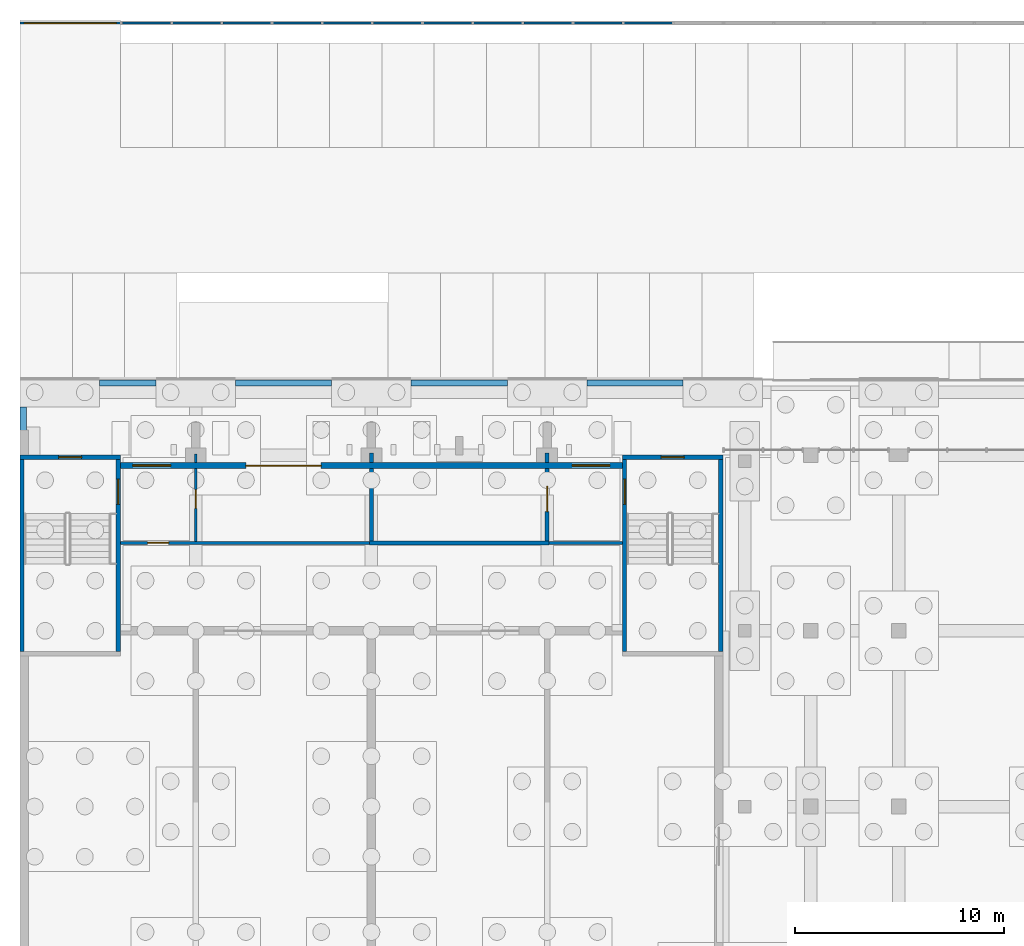
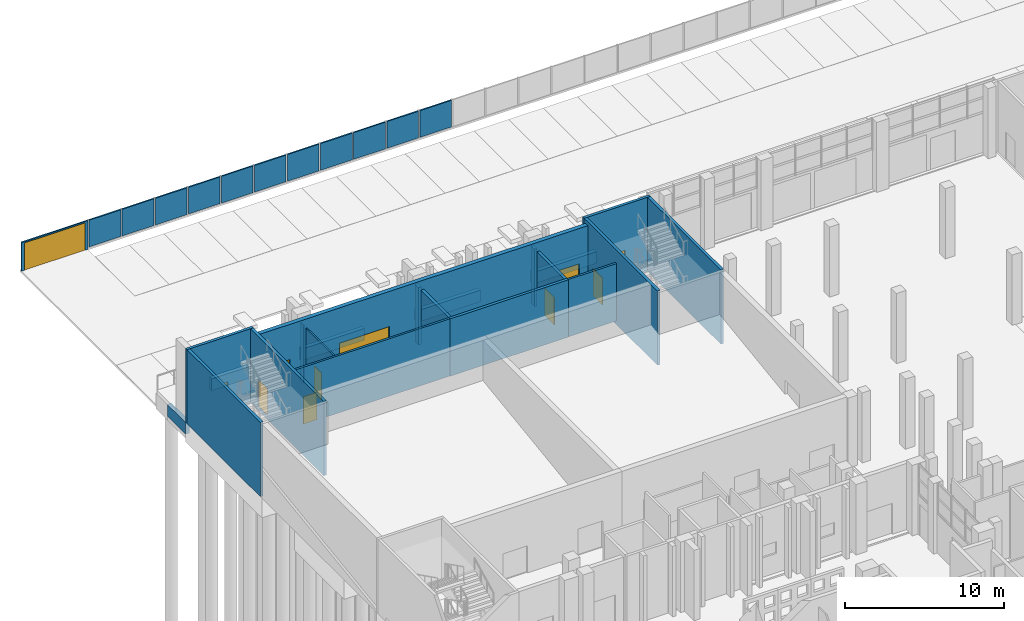
# One storey, part 50 of 129: 33 walls, 9 doors, 2 windows, 11 openings.
"""IFC4 building model written with IfcOpenShell, lengths in metres."""

from ifc_helpers import new_model, si_unit, direction, frame, frame_2d, origin, place, context, subcontext, project, spatial, rectangle, extrude, material, layer, layer_set, type_object, element, fill, save


model = new_model("IFC4")

# Units and contexts
model_context = context("Model", 3, precision=1e-05, world=origin(), true_north=direction((0.0, 1.0)))
body_context = subcontext(model_context, "Body", "Model", "MODEL_VIEW")
ifc_project = project(units=[si_unit("LENGTHUNIT", "METRE"), si_unit("AREAUNIT", "SQUARE_METRE"), si_unit("VOLUMEUNIT", "CUBIC_METRE"), si_unit("PLANEANGLEUNIT", "RADIAN"), si_unit("MASSUNIT", "GRAM", prefix="KILO")], contexts=[model_context])

# Site, building, storey
site_placement = place(None, origin())
site = spatial("IfcSite", under=ifc_project, at=site_placement, CompositionType="ELEMENT")
building_placement = place(site_placement, origin())
building = spatial("IfcBuilding", under=site, at=building_placement, Name="Kiln Court Media Centre", CompositionType="ELEMENT")
storey_placement = place(building_placement, origin())
storey = spatial("IfcBuildingStorey", under=building, at=storey_placement, Name="L00", CompositionType="ELEMENT", Elevation=0.0)

# Walls
ifc_material_1 = material(Name="Concrete block masonry M10", Category="masonry")
ifc_layer_1 = layer(ifc_material_1, 0.199951171875)
ifc_layer_set_1 = layer_set([ifc_layer_1], Name="Block plant room wall 200 EI 120")
wall_type_1 = type_object("IfcWallType", Name="Block plant room wall 200 EI 120", PredefinedType="SOLIDWALL", material=ifc_layer_set_1)
wall_1_placement = place(storey_placement, frame((16.699951171875, 63.0, 0.0), z_axis=(0.0, 0.0, 1.0), x_axis=(1.0, 0.0, 0.0)))
element("IfcWall", 1, at=wall_1_placement, inside=storey, type_object=wall_type_1, Name="L00 block plant room wall", PredefinedType="SOLIDWALL", context=body_context, shape_type="SweptSolid", body=[
    extrude(rectangle(XDim=8.60009765625, YDim=0.199951171875, at=frame_2d((4.300048828125, 0.0))), origin(), (0.0, 0.0, 1.0), 4.39990234375),
])
wall_2_placement = place(storey_placement, frame((16.800048828125, 63.10009765625, 0.0), z_axis=(0.0, 0.0, 1.0), x_axis=(0.0, 1.0, 0.0)))
element("IfcWall", 2, at=wall_2_placement, inside=storey, type_object=wall_type_1, Name="L00 block plant room wall", PredefinedType="SOLIDWALL", context=body_context, shape_type="SweptSolid", body=[
    extrude(rectangle(XDim=3.449951171875, YDim=0.199951171875, at=frame_2d((1.72509765625, 0.0))), origin(), (0.0, 0.0, 1.0), 4.39990234375),
])
wall_3_placement = place(storey_placement, frame((16.800048828125, 66.85009765625, 0.0), z_axis=(0.0, 0.0, 1.0), x_axis=(0.0, 1.0, 0.0)))
element("IfcWall", 3, at=wall_3_placement, inside=storey, type_object=wall_type_1, Name="L00 block plant room wall", PredefinedType="SOLIDWALL", context=body_context, shape_type="SweptSolid", body=[
    extrude(rectangle(XDim=0.449951171875, YDim=0.199951171875, at=frame_2d((0.22509765625, 0.0))), origin(), (0.0, 0.0, 1.0), 4.39990234375),
])

# Wall, opening, door
wall_4_placement = place(storey_placement, frame((25.199951171875, 63.10009765625, 0.0), z_axis=(0.0, 0.0, 1.0), x_axis=(0.0, 1.0, 0.0)))
wall_4 = element("IfcWall", 4, at=wall_4_placement, inside=storey, type_object=wall_type_1, Name="L00 block plant room wall", PredefinedType="SOLIDWALL", context=body_context, shape_type="SweptSolid", body=[
    extrude(rectangle(XDim=3.449951171875, YDim=0.199951171875, at=frame_2d((1.72509765625, 0.0))), origin(), (0.0, 0.0, 1.0), 4.39990234375),
])
opening_1_placement = place(wall_4_placement, frame((1.39990234375, 0.0, 0.0)))
opening_1 = element("IfcOpeningElement", 5, at=opening_1_placement, cuts=wall_4, Name="Opening D0040", PredefinedType="OPENING", context=body_context, shape_type="SweptSolid", body=[
    extrude(rectangle(XDim=1.199951171875, YDim=2.10009765625, at=frame_2d((0.60009765625, 1.050048828125))), frame((0.0, 0.10986328125, 0.0), z_axis=(0.0, -1.0, 0.0), x_axis=(1.0, 0.0, 0.0)), (0.0, 0.0, 1.0), 0.219970703125),
])
ifc_material_2 = material(Name="Steel S275", Category="steel")
door_type_1 = type_object("IfcDoorType", Name="Steel plant door 1200 x 2100 FD180", OperationType="SINGLE_SWING_LEFT", PredefinedType="DOOR", material=ifc_material_2)
door_1_placement = place(opening_1_placement, origin())
door_1 = element("IfcDoor", 6, at=door_1_placement, inside=storey, type_object=door_type_1, Name="Cinema Plant Room / Cinema Manager Room", OperationType="SINGLE_SWING_LEFT", OverallHeight=2.10009765625, OverallWidth=1.199951171875, PredefinedType="DOOR", context=body_context, shape_type="SweptSolid", body=[
    extrude(rectangle(XDim=1.199951171875, YDim=2.10009765625, at=frame_2d((0.60009765625, 1.050048828125))), frame((0.0, 0.02490234375, 0.0), z_axis=(0.0, -1.0, 0.0), x_axis=(1.0, 0.0, 0.0)), (0.0, 0.0, 1.0), 0.050048828125),
])
fill(opening_1, door_1)

# Walls
wall_5_placement = place(storey_placement, frame((25.199951171875, 66.85009765625, 0.0), z_axis=(0.0, 0.0, 1.0), x_axis=(0.0, 1.0, 0.0)))
element("IfcWall", 7, at=wall_5_placement, inside=storey, type_object=wall_type_1, Name="L00 block plant room wall", PredefinedType="SOLIDWALL", context=body_context, shape_type="SweptSolid", body=[
    extrude(rectangle(XDim=0.449951171875, YDim=0.199951171875, at=frame_2d((0.22509765625, 0.0))), origin(), (0.0, 0.0, 1.0), 4.39990234375),
])
ifc_material_3 = material(Name="Concrete C30/37", Category="concrete")
ifc_layer_2 = layer(ifc_material_3, 0.300048828125)
ifc_layer_set_2 = layer_set([ifc_layer_2], Name="Concrete C30/37 plinth wall 300")
wall_type_2 = type_object("IfcWallType", Name="Concrete C30/37 plinth wall 300", PredefinedType="SOLIDWALL", material=ifc_layer_set_2)
wall_6_placement = place(storey_placement, frame((3.800048828125, 70.64990234375, -1.199951171875), z_axis=(0.0, 0.0, 1.0), x_axis=(1.0, 0.0, 0.0)))
element("IfcWall", 8, at=wall_6_placement, inside=storey, type_object=wall_type_2, Name="L00-W-1201", PredefinedType="SOLIDWALL", context=body_context, shape_type="SweptSolid", body=[
    extrude(rectangle(XDim=2.699951171875, YDim=0.300048828125, at=frame_2d((1.35009765625, 0.0))), origin(), (0.0, 0.0, 1.0), 0.89990234375),
])
wall_7_placement = place(storey_placement, frame((10.300048828125, 70.64990234375, -1.199951171875), z_axis=(0.0, 0.0, 1.0), x_axis=(1.0, 0.0, 0.0)))
element("IfcWall", 9, at=wall_7_placement, inside=storey, type_object=wall_type_2, Name="L00-W-1202", PredefinedType="SOLIDWALL", context=body_context, shape_type="SweptSolid", body=[
    extrude(rectangle(XDim=4.599853515625, YDim=0.300048828125, at=frame_2d((2.2998046875, 0.0))), origin(), (0.0, 0.0, 1.0), 0.89990234375),
])
wall_8_placement = place(storey_placement, frame((18.699951171875, 70.64990234375, -1.199951171875), z_axis=(0.0, 0.0, 1.0), x_axis=(1.0, 0.0, 0.0)))
element("IfcWall", 10, at=wall_8_placement, inside=storey, type_object=wall_type_2, Name="L00-W-1203", PredefinedType="SOLIDWALL", context=body_context, shape_type="SweptSolid", body=[
    extrude(rectangle(XDim=4.60009765625, YDim=0.300048828125, at=frame_2d((2.300048828125, 0.0))), origin(), (0.0, 0.0, 1.0), 0.89990234375),
])
wall_9_placement = place(storey_placement, frame((27.10009765625, 70.64990234375, -1.199951171875), z_axis=(0.0, 0.0, 1.0), x_axis=(1.0, 0.0, 0.0)))
element("IfcWall", 11, at=wall_9_placement, inside=storey, type_object=wall_type_2, Name="L00-W-1204", PredefinedType="SOLIDWALL", context=body_context, shape_type="SweptSolid", body=[
    extrude(rectangle(XDim=4.599853515625, YDim=0.300048828125, at=frame_2d((2.2998046875, 0.0))), origin(), (0.0, 0.0, 1.0), 0.89990234375),
])
wall_10_placement = place(storey_placement, frame((0.150390625, 67.199951171875, -1.199951171875), z_axis=(0.0, 0.0, 1.0), x_axis=(0.0, 1.0, 0.0)))
element("IfcWall", 12, at=wall_10_placement, inside=storey, type_object=wall_type_2, Name="L00-W-1210", PredefinedType="SOLIDWALL", context=body_context, shape_type="SweptSolid", body=[
    extrude(rectangle(XDim=2.300048828125, YDim=0.300048828125, at=frame_2d((1.14990234375, 0.0))), origin(), (0.0, 0.0, 1.0), 0.89990234375),
])

# Wall, openings, windows, door
ifc_material_4 = material(Name="Concrete C40/50", Category="concrete")
ifc_layer_3 = layer(ifc_material_4, 0.300048828125)
ifc_layer_set_3 = layer_set([ifc_layer_3], Name="Concrete C40/50 board-marked facade wall 300")
wall_type_3 = type_object("IfcWallType", Name="Concrete C40/50 board-marked facade wall 300", PredefinedType="SOLIDWALL", material=ifc_layer_set_3)
wall_11_placement = place(storey_placement, frame((4.800048828125, 66.699951171875, 0.0), z_axis=(0.0, 0.0, 1.0), x_axis=(1.0, 0.0, 0.0)))
wall_11 = element("IfcWall", 13, at=wall_11_placement, inside=storey, type_object=wall_type_3, Name="V4 N facade wall 4009", PredefinedType="SOLIDWALL", context=body_context, shape_type="SweptSolid", body=[
    extrude(rectangle(XDim=24.0, YDim=0.300048828125, at=frame_2d((12.0, 0.0))), origin(), (0.0, 0.0, 1.0), 5.10009765625),
])
opening_2_placement = place(wall_11_placement, frame((6.0, 0.0, 0.0)))
opening_2 = element("IfcOpeningElement", 14, at=opening_2_placement, cuts=wall_11, Name="Opening D0777", PredefinedType="OPENING", context=body_context, shape_type="SweptSolid", body=[
    extrude(rectangle(XDim=3.60009765625, YDim=2.39990234375, at=frame_2d((1.800048828125, 1.199951171875))), frame((0.0, 0.159912109375, 0.0), z_axis=(0.0, -1.0, 0.0), x_axis=(1.0, 0.0, 0.0)), (0.0, 0.0, 1.0), 0.320068359375),
])
opening_3_placement = place(wall_11_placement, frame((0.60009765625, 0.0, 0.89990234375)))
opening_3 = element("IfcOpeningElement", 15, at=opening_3_placement, cuts=wall_11, Name="Opening WN0506", PredefinedType="OPENING", context=body_context, shape_type="SweptSolid", body=[
    extrude(rectangle(XDim=1.800048828125, YDim=1.5, at=frame_2d((0.89990234375, 0.75))), frame((0.0, 0.159912109375, 0.0), z_axis=(0.0, -1.0, 0.0), x_axis=(1.0, 0.0, 0.0)), (0.0, 0.0, 1.0), 0.320068359375),
])
opening_4_placement = place(wall_11_placement, frame((21.60009765625, 0.0, 0.89990234375)))
opening_4 = element("IfcOpeningElement", 16, at=opening_4_placement, cuts=wall_11, Name="Opening WN0507", PredefinedType="OPENING", context=body_context, shape_type="SweptSolid", body=[
    extrude(rectangle(XDim=1.800048828125, YDim=1.5, at=frame_2d((0.89990234375, 0.75))), frame((0.0, 0.159912109375, 0.0), z_axis=(0.0, -1.0, 0.0), x_axis=(1.0, 0.0, 0.0)), (0.0, 0.0, 1.0), 0.320068359375),
])
ifc_material_5 = material(Name="Aluminium 6063-T6", Category="aluminium")
window_type = type_object("IfcWindowType", Name="Aluminium lobby window 1800x1500", PartitioningType="DOUBLE_PANEL_VERTICAL", PredefinedType="WINDOW", material=ifc_material_5)
window_1_placement = place(opening_3_placement, origin())
window_1 = element("IfcWindow", 17, at=window_1_placement, inside=storey, type_object=window_type, Name="V4 N meeting window", OverallHeight=1.5, OverallWidth=1.800048828125, PartitioningType="SINGLE_PANEL", PredefinedType="WINDOW", context=body_context, shape_type="SweptSolid", body=[
    extrude(rectangle(XDim=1.800048828125, YDim=1.5, at=frame_2d((0.89990234375, 0.75))), frame((0.0, 0.030029296875, 0.0), z_axis=(0.0, -1.0, 0.0), x_axis=(1.0, 0.0, 0.0)), (0.0, 0.0, 1.0), 0.06005859375),
])
fill(opening_3, window_1)
window_2_placement = place(opening_4_placement, origin())
window_2 = element("IfcWindow", 18, at=window_2_placement, inside=storey, type_object=window_type, Name="V4 N admin window", OverallHeight=1.5, OverallWidth=1.800048828125, PartitioningType="SINGLE_PANEL", PredefinedType="WINDOW", context=body_context, shape_type="SweptSolid", body=[
    extrude(rectangle(XDim=1.800048828125, YDim=1.5, at=frame_2d((0.89990234375, 0.75))), frame((0.0, 0.030029296875, 0.0), z_axis=(0.0, -1.0, 0.0), x_axis=(1.0, 0.0, 0.0)), (0.0, 0.0, 1.0), 0.06005859375),
])
fill(opening_4, window_2)
ifc_material_6 = material(Name="Steel ASTM A572 Gr 50", Category="steel")
door_type_2 = type_object("IfcDoorType", Name="Steel roller shutter dock door 3600x2400", OperationType="NOTDEFINED", PredefinedType="GATE", material=ifc_material_6)
door_2_placement = place(opening_2_placement, origin())
door_2 = element("IfcDoor", 19, at=door_2_placement, inside=storey, type_object=door_type_2, Name="DOCK-1 dock door", OperationType="SINGLE_SWING_LEFT", OverallHeight=2.39990234375, OverallWidth=3.60009765625, PredefinedType="GATE", context=body_context, shape_type="SweptSolid", body=[
    extrude(rectangle(XDim=3.60009765625, YDim=2.39990234375, at=frame_2d((1.800048828125, 1.199951171875))), frame((0.0, 0.02490234375, 0.0), z_axis=(0.0, -1.0, 0.0), x_axis=(1.0, 0.0, 0.0)), (0.0, 0.0, 1.0), 0.050048828125),
])
fill(opening_2, door_2)

# Wall, opening, door
ifc_material_7 = material(Name="Concrete C40/50", Category="concrete")
ifc_layer_4 = layer(ifc_material_7, 0.199951171875)
ifc_layer_set_4 = layer_set([ifc_layer_4], Name="Concrete C40/50 shear wall 200")
wall_type_4 = type_object("IfcWallType", Name="Concrete C40/50 shear wall 200", PredefinedType="SHEAR", material=ifc_layer_set_4)
wall_12_placement = place(storey_placement, frame((0.00048828125, 67.10009765625, -0.300048828125), z_axis=(0.0, 0.0, 1.0), x_axis=(1.0, 0.0, 0.0)))
wall_12 = element("IfcWall", 20, at=wall_12_placement, inside=storey, type_object=wall_type_4, Name="L00-W-1025", PredefinedType="SHEAR", context=body_context, shape_type="SweptSolid", body=[
    extrude(rectangle(XDim=4.799560546875, YDim=0.199951171875, at=frame_2d((2.39990234375, 0.0))), origin(), (0.0, 0.0, 1.0), 5.699951171875),
])
opening_5_placement = place(wall_12_placement, frame((1.849609375, 0.0, 0.0)))
opening_5 = element("IfcOpeningElement", 21, at=opening_5_placement, cuts=wall_12, Name="Opening D0775", PredefinedType="OPENING", context=body_context, shape_type="SweptSolid", body=[
    extrude(rectangle(XDim=1.10009765625, YDim=2.199951171875, at=frame_2d((0.550048828125, 1.10009765625))), frame((0.0, 0.10986328125, 0.0), z_axis=(0.0, -1.0, 0.0), x_axis=(1.0, 0.0, 0.0)), (0.0, 0.0, 1.0), 0.219970703125),
])
ifc_material_8 = material(Name="Steel ASTM A572 Gr 50", Category="steel")
door_type_3 = type_object("IfcDoorType", Name="Steel hall exit door 1100x2200", OperationType="SINGLE_SWING_LEFT", PredefinedType="DOOR", material=ifc_material_8)
door_3_placement = place(opening_5_placement, origin())
door_3 = element("IfcDoor", 22, at=door_3_placement, inside=storey, type_object=door_type_3, Name="ST-07 exit door", OperationType="SLIDING_TO_LEFT", OverallHeight=2.199951171875, OverallWidth=1.10009765625, PredefinedType="DOOR", context=body_context, shape_type="SweptSolid", body=[
    extrude(rectangle(XDim=1.10009765625, YDim=2.199951171875, at=frame_2d((0.550048828125, 1.10009765625))), frame((0.0, 0.02490234375, 0.0), z_axis=(0.0, -1.0, 0.0), x_axis=(1.0, 0.0, 0.0)), (0.0, 0.0, 1.0), 0.050048828125),
])
fill(opening_5, door_3)

# Wall
wall_13_placement = place(storey_placement, frame((0.100341796875, 57.800048828125, -0.300048828125), z_axis=(0.0, 0.0, 1.0), x_axis=(0.0, 1.0, 0.0)))
element("IfcWall", 23, at=wall_13_placement, inside=storey, type_object=wall_type_4, Name="L00-W-1026", PredefinedType="SHEAR", context=body_context, shape_type="SweptSolid", body=[
    extrude(rectangle(XDim=9.199951171875, YDim=0.199951171875, at=frame_2d((4.60009765625, 0.0))), origin(), (0.0, 0.0, 1.0), 5.699951171875),
])

# Wall, opening, door
wall_14_placement = place(storey_placement, frame((4.699951171875, 67.0, -0.300048828125), z_axis=(0.0, 0.0, 1.0), x_axis=(0.0, -1.0, 0.0)))
wall_14 = element("IfcWall", 24, at=wall_14_placement, inside=storey, type_object=wall_type_4, Name="L00-W-1027", PredefinedType="SHEAR", context=body_context, shape_type="SweptSolid", body=[
    extrude(rectangle(XDim=9.199951171875, YDim=0.199951171875, at=frame_2d((4.60009765625, 0.0))), origin(), (0.0, 0.0, 1.0), 5.699951171875),
])
opening_6_placement = place(wall_14_placement, frame((0.949951171875, 0.0, 0.300048828125)))
opening_6 = element("IfcOpeningElement", 25, at=opening_6_placement, cuts=wall_14, Name="Opening D0011", PredefinedType="OPENING", context=body_context, shape_type="SweptSolid", body=[
    extrude(rectangle(XDim=1.199951171875, YDim=2.10009765625, at=frame_2d((0.60009765625, 1.050048828125))), frame((0.0, 0.10986328125, 0.0), z_axis=(0.0, -1.0, 0.0), x_axis=(1.0, 0.0, 0.0)), (0.0, 0.0, 1.0), 0.219970703125),
])
ifc_material_9 = material(Name="Steel S275", Category="steel")
door_type_4 = type_object("IfcDoorType", Name="Steel stair door 1200 x 2100 FD180", OperationType="SINGLE_SWING_LEFT", PredefinedType="DOOR", material=ifc_material_9)
door_4_placement = place(opening_6_placement, origin())
door_4 = element("IfcDoor", 26, at=door_4_placement, inside=storey, type_object=door_type_4, Name="Stair 7 / Staff Room", OperationType="SINGLE_SWING_RIGHT", OverallHeight=2.10009765625, OverallWidth=1.199951171875, PredefinedType="DOOR", context=body_context, shape_type="SweptSolid", body=[
    extrude(rectangle(XDim=1.199951171875, YDim=2.10009765625, at=frame_2d((0.60009765625, 1.050048828125))), frame((0.0, 0.02490234375, 0.0), z_axis=(0.0, -1.0, 0.0), x_axis=(1.0, 0.0, 0.0)), (0.0, 0.0, 1.0), 0.050048828125),
])
fill(opening_6, door_4)

wall_15_placement = place(storey_placement, frame((28.800048828125, 67.10009765625, -0.300048828125), z_axis=(0.0, 0.0, 1.0), x_axis=(1.0, 0.0, 0.0)))
wall_15 = element("IfcWall", 27, at=wall_15_placement, inside=storey, type_object=wall_type_4, Name="L00-W-1029", PredefinedType="SHEAR", context=body_context, shape_type="SweptSolid", body=[
    extrude(rectangle(XDim=4.800048828125, YDim=0.199951171875, at=frame_2d((2.39990234375, 0.0))), origin(), (0.0, 0.0, 1.0), 5.699951171875),
])
opening_7_placement = place(wall_15_placement, frame((1.85009765625, 0.0, 0.0)))
opening_7 = element("IfcOpeningElement", 28, at=opening_7_placement, cuts=wall_15, Name="Opening D0776", PredefinedType="OPENING", context=body_context, shape_type="SweptSolid", body=[
    extrude(rectangle(XDim=1.10009765625, YDim=2.199951171875, at=frame_2d((0.550048828125, 1.10009765625))), frame((0.0, 0.10986328125, 0.0), z_axis=(0.0, -1.0, 0.0), x_axis=(1.0, 0.0, 0.0)), (0.0, 0.0, 1.0), 0.219970703125),
])
door_5_placement = place(opening_7_placement, origin())
door_5 = element("IfcDoor", 29, at=door_5_placement, inside=storey, type_object=door_type_3, Name="ST-08 exit door", OperationType="SLIDING_TO_LEFT", OverallHeight=2.199951171875, OverallWidth=1.10009765625, PredefinedType="DOOR", context=body_context, shape_type="SweptSolid", body=[
    extrude(rectangle(XDim=1.10009765625, YDim=2.199951171875, at=frame_2d((0.550048828125, 1.10009765625))), frame((0.0, 0.02490234375, 0.0), z_axis=(0.0, -1.0, 0.0), x_axis=(1.0, 0.0, 0.0)), (0.0, 0.0, 1.0), 0.050048828125),
])
fill(opening_7, door_5)

wall_16_placement = place(storey_placement, frame((28.89990234375, 57.800048828125, -0.300048828125), z_axis=(0.0, 0.0, 1.0), x_axis=(0.0, 1.0, 0.0)))
wall_16 = element("IfcWall", 30, at=wall_16_placement, inside=storey, type_object=wall_type_4, Name="L00-W-1030", PredefinedType="SHEAR", context=body_context, shape_type="SweptSolid", body=[
    extrude(rectangle(XDim=9.199951171875, YDim=0.199951171875, at=frame_2d((4.60009765625, 0.0))), origin(), (0.0, 0.0, 1.0), 5.699951171875),
])
opening_8_placement = place(wall_16_placement, frame((7.050048828125, 0.0, 0.300048828125)))
opening_8 = element("IfcOpeningElement", 31, at=opening_8_placement, cuts=wall_16, Name="Opening D0012", PredefinedType="OPENING", context=body_context, shape_type="SweptSolid", body=[
    extrude(rectangle(XDim=1.199951171875, YDim=2.10009765625, at=frame_2d((0.60009765625, 1.050048828125))), frame((0.0, 0.10986328125, 0.0), z_axis=(0.0, -1.0, 0.0), x_axis=(1.0, 0.0, 0.0)), (0.0, 0.0, 1.0), 0.219970703125),
])
door_6_placement = place(opening_8_placement, origin())
door_6 = element("IfcDoor", 32, at=door_6_placement, inside=storey, type_object=door_type_4, Name="Stair 8 / Cinema Manager Room", OperationType="SINGLE_SWING_RIGHT", OverallHeight=2.10009765625, OverallWidth=1.199951171875, PredefinedType="DOOR", context=body_context, shape_type="SweptSolid", body=[
    extrude(rectangle(XDim=1.199951171875, YDim=2.10009765625, at=frame_2d((0.60009765625, 1.050048828125))), frame((0.0, 0.02490234375, 0.0), z_axis=(0.0, -1.0, 0.0), x_axis=(1.0, 0.0, 0.0)), (0.0, 0.0, 1.0), 0.050048828125),
])
fill(opening_8, door_6)

# Wall
wall_17_placement = place(storey_placement, frame((33.5, 67.0, -0.300048828125), z_axis=(0.0, 0.0, 1.0), x_axis=(0.0, -1.0, 0.0)))
element("IfcWall", 33, at=wall_17_placement, inside=storey, type_object=wall_type_4, Name="L00-W-1031", PredefinedType="SHEAR", context=body_context, shape_type="SweptSolid", body=[
    extrude(rectangle(XDim=9.199951171875, YDim=0.199951171875, at=frame_2d((4.60009765625, 0.0))), origin(), (0.0, 0.0, 1.0), 5.699951171875),
])

# Wall, opening, door
ifc_material_10 = material(Name="Gypsum plasterboard", Category="gypsum")
ifc_layer_5 = layer(ifc_material_10, 0.14990234375)
ifc_layer_set_5 = layer_set([ifc_layer_5], Name="Gypsum corridor partition 150 EI 60")
wall_type_5 = type_object("IfcWallType", Name="Gypsum corridor partition 150 EI 60", PredefinedType="PARTITIONING", material=ifc_layer_set_5)
wall_18_placement = place(storey_placement, frame((4.800048828125, 63.0, 0.0), z_axis=(0.0, 0.0, 1.0), x_axis=(1.0, 0.0, 0.0)))
wall_18 = element("IfcWall", 34, at=wall_18_placement, inside=storey, type_object=wall_type_5, Name="L00 gypsum corridor partition", PredefinedType="PARTITIONING", context=body_context, shape_type="SweptSolid", body=[
    extrude(rectangle(XDim=11.89990234375, YDim=0.14990234375, at=frame_2d((5.949951171875, 0.0))), origin(), (0.0, 0.0, 1.0), 4.39990234375),
])
opening_9_placement = place(wall_18_placement, frame((1.300048828125, 0.0, 0.0)))
opening_9 = element("IfcOpeningElement", 35, at=opening_9_placement, cuts=wall_18, Name="Opening D0038", PredefinedType="OPENING", context=body_context, shape_type="SweptSolid", body=[
    extrude(rectangle(XDim=1.0, YDim=2.10009765625, at=frame_2d((0.5, 1.050048828125))), frame((0.0, 0.0849609375, 0.0), z_axis=(0.0, -1.0, 0.0), x_axis=(1.0, 0.0, 0.0)), (0.0, 0.0, 1.0), 0.169921875),
])
ifc_material_11 = material(Name="Steel S275", Category="steel")
door_type_5 = type_object("IfcDoorType", Name="Steel corridor door 1000 x 2100 FD30S", OperationType="SINGLE_SWING_LEFT", PredefinedType="DOOR", material=ifc_material_11)
door_7_placement = place(opening_9_placement, origin())
door_7 = element("IfcDoor", 36, at=door_7_placement, inside=storey, type_object=door_type_5, Name="Rear Exit Lobby / Staff Room", OperationType="SINGLE_SWING_LEFT", OverallHeight=2.10009765625, OverallWidth=1.0, PredefinedType="DOOR", context=body_context, shape_type="SweptSolid", body=[
    extrude(rectangle(XDim=1.0, YDim=2.10009765625, at=frame_2d((0.5, 1.050048828125))), frame((0.0, 0.02490234375, 0.0), z_axis=(0.0, -1.0, 0.0), x_axis=(1.0, 0.0, 0.0)), (0.0, 0.0, 1.0), 0.050048828125),
])
fill(opening_9, door_7)

# Wall
wall_19_placement = place(storey_placement, frame((25.300048828125, 63.0, 0.0), z_axis=(0.0, 0.0, 1.0), x_axis=(1.0, 0.0, 0.0)))
element("IfcWall", 37, at=wall_19_placement, inside=storey, type_object=wall_type_5, Name="L00 gypsum corridor partition", PredefinedType="PARTITIONING", context=body_context, shape_type="SweptSolid", body=[
    extrude(rectangle(XDim=3.499755859375, YDim=0.14990234375, at=frame_2d((1.75, 0.0))), origin(), (0.0, 0.0, 1.0), 4.39990234375),
])

# Wall, opening, door
ifc_material_12 = material(Name="Gypsum plasterboard", Category="gypsum")
ifc_layer_6 = layer(ifc_material_12, 0.10009765625)
ifc_layer_set_6 = layer_set([ifc_layer_6], Name="Gypsum stud partition 100")
wall_type_6 = type_object("IfcWallType", Name="Gypsum stud partition 100", PredefinedType="PARTITIONING", material=ifc_layer_set_6)
wall_20_placement = place(storey_placement, frame((8.39990234375, 63.074951171875, 0.0), z_axis=(0.0, 0.0, 1.0), x_axis=(0.0, 1.0, 0.0)))
wall_20 = element("IfcWall", 38, at=wall_20_placement, inside=storey, type_object=wall_type_6, Name="L00 gypsum stud partition", PredefinedType="PARTITIONING", context=body_context, shape_type="SweptSolid", body=[
    extrude(rectangle(XDim=3.47509765625, YDim=0.10009765625, at=frame_2d((1.737548828125, 0.0))), origin(), (0.0, 0.0, 1.0), 4.39990234375),
])
opening_10_placement = place(wall_20_placement, frame((1.574951171875, 0.0, 0.0)))
opening_10 = element("IfcOpeningElement", 39, at=opening_10_placement, cuts=wall_20, Name="Opening D0039", PredefinedType="OPENING", context=body_context, shape_type="SweptSolid", body=[
    extrude(rectangle(XDim=0.89990234375, YDim=2.10009765625, at=frame_2d((0.449951171875, 1.050048828125))), frame((0.0, 0.06005859375, 0.0), z_axis=(0.0, -1.0, 0.0), x_axis=(1.0, 0.0, 0.0)), (0.0, 0.0, 1.0), 0.1201171875),
])
ifc_material_13 = material(Name="Timber", Category="wood")
door_type_6 = type_object("IfcDoorType", Name="Timber door 900 x 2100", OperationType="SINGLE_SWING_LEFT", PredefinedType="DOOR", material=ifc_material_13)
door_8_placement = place(opening_10_placement, origin())
door_8 = element("IfcDoor", 40, at=door_8_placement, inside=storey, type_object=door_type_6, Name="Staff Room / Cinema Store", OperationType="SINGLE_SWING_LEFT", OverallHeight=2.10009765625, OverallWidth=0.89990234375, PredefinedType="DOOR", context=body_context, shape_type="SweptSolid", body=[
    extrude(rectangle(XDim=0.89990234375, YDim=2.10009765625, at=frame_2d((0.449951171875, 1.050048828125))), frame((0.0, 0.02490234375, 0.0), z_axis=(0.0, -1.0, 0.0), x_axis=(1.0, 0.0, 0.0)), (0.0, 0.0, 1.0), 0.050048828125),
])
fill(opening_10, door_8)

# Walls
wall_21_placement = place(storey_placement, frame((8.39990234375, 66.85009765625, 0.0), z_axis=(0.0, 0.0, 1.0), x_axis=(0.0, 1.0, 0.0)))
element("IfcWall", 41, at=wall_21_placement, inside=storey, type_object=wall_type_6, Name="L00 gypsum stud partition", PredefinedType="PARTITIONING", context=body_context, shape_type="SweptSolid", body=[
    extrude(rectangle(XDim=0.39990234375, YDim=0.10009765625, at=frame_2d((0.199951171875, 0.0))), origin(), (0.0, 0.0, 1.0), 4.39990234375),
])
ifc_material_14 = material(Name="Steel ASTM A572 Gr 50", Category="steel")
ifc_layer_7 = layer(ifc_material_14, 0.10009765625)
ifc_layer_set_7 = layer_set([ifc_layer_7], Name="Steel ASTM A572 Gr 50 palisade fence panel 100")
wall_type_7 = type_object("IfcWallType", Name="Steel ASTM A572 Gr 50 palisade fence panel 100", PredefinedType="SOLIDWALL", material=ifc_layer_set_7)
for number, where, z_axis, x_axis, name in (
    (42, (4.89990234375, 87.85009765625, -1.050048828125), (0.0, 0.0, 1.0), (1.0, 0.0, 0.0), "Boundary palisade fence panel 1"),
    (43, (7.29833984375, 87.85009765625, -1.050048828125), (0.0, 0.0, 1.0), (1.0, 0.0, 0.0), "Boundary palisade fence panel 2"),
):
    element("IfcWall", number, at=place(storey_placement, frame(where, z_axis=z_axis, x_axis=x_axis)), inside=storey, type_object=wall_type_7, Name=name, PredefinedType="SOLIDWALL", context=body_context, shape_type="SweptSolid", body=[
        extrude(rectangle(XDim=2.29833984375, YDim=0.10009765625, at=frame_2d((1.149169921875, 0.0))), origin(), (0.0, 0.0, 1.0), 2.050048828125),
    ])
for number, where, z_axis, x_axis, name in (
    (44, (9.69677734375, 87.85009765625, -1.050048828125), (0.0, 0.0, 1.0), (1.0, 0.0, 0.0), "Boundary palisade fence panel 3"),
    (45, (12.09521484375, 87.85009765625, -1.050048828125), (0.0, 0.0, 1.0), (1.0, 0.0, 0.0), "Boundary palisade fence panel 4"),
):
    element("IfcWall", number, at=place(storey_placement, frame(where, z_axis=z_axis, x_axis=x_axis)), inside=storey, type_object=wall_type_7, Name=name, PredefinedType="SOLIDWALL", context=body_context, shape_type="SweptSolid", body=[
        extrude(rectangle(XDim=2.298583984375, YDim=0.10009765625, at=frame_2d((1.1494140625, 0.0))), origin(), (0.0, 0.0, 1.0), 2.050048828125),
    ])
for number, where, z_axis, x_axis, name in (
    (46, (14.493896484375, 87.85009765625, -1.050048828125), (0.0, 0.0, 1.0), (1.0, 0.0, 0.0), "Boundary palisade fence panel 5"),
    (47, (16.892333984375, 87.85009765625, -1.050048828125), (0.0, 0.0, 1.0), (1.0, 0.0, 0.0), "Boundary palisade fence panel 6"),
    (48, (19.290771484375, 87.85009765625, -1.050048828125), (0.0, 0.0, 1.0), (1.0, 0.0, 0.0), "Boundary palisade fence panel 7"),
):
    element("IfcWall", number, at=place(storey_placement, frame(where, z_axis=z_axis, x_axis=x_axis)), inside=storey, type_object=wall_type_7, Name=name, PredefinedType="SOLIDWALL", context=body_context, shape_type="SweptSolid", body=[
        extrude(rectangle(XDim=2.29833984375, YDim=0.10009765625, at=frame_2d((1.149169921875, 0.0))), origin(), (0.0, 0.0, 1.0), 2.050048828125),
    ])
for number, where, z_axis, x_axis, name in (
    (49, (21.689208984375, 87.85009765625, -1.050048828125), (0.0, 0.0, 1.0), (1.0, 0.0, 0.0), "Boundary palisade fence panel 8"),
    (50, (24.087646484375, 87.85009765625, -1.050048828125), (0.0, 0.0, 1.0), (1.0, 0.0, 0.0), "Boundary palisade fence panel 9"),
    (51, (26.486083984375, 87.85009765625, -1.050048828125), (0.0, 0.0, 1.0), (1.0, 0.0, 0.0), "Boundary palisade fence panel 10"),
):
    element("IfcWall", number, at=place(storey_placement, frame(where, z_axis=z_axis, x_axis=x_axis)), inside=storey, type_object=wall_type_7, Name=name, PredefinedType="SOLIDWALL", context=body_context, shape_type="SweptSolid", body=[
        extrude(rectangle(XDim=2.298583984375, YDim=0.10009765625, at=frame_2d((1.1494140625, 0.0))), origin(), (0.0, 0.0, 1.0), 2.050048828125),
    ])
wall_22_placement = place(storey_placement, frame((28.884765625, 87.85009765625, -1.050048828125), z_axis=(0.0, 0.0, 1.0), x_axis=(1.0, 0.0, 0.0)))
element("IfcWall", 52, at=wall_22_placement, inside=storey, type_object=wall_type_7, Name="Boundary palisade fence panel 11", PredefinedType="SOLIDWALL", context=body_context, shape_type="SweptSolid", body=[
    extrude(rectangle(XDim=2.29833984375, YDim=0.10009765625, at=frame_2d((1.149169921875, 0.0))), origin(), (0.0, 0.0, 1.0), 2.050048828125),
])

# Wall, opening, door
ifc_material_15 = material(Name="Steel ASTM A572 Gr 50", Category="steel")
ifc_layer_8 = layer(ifc_material_15, 0.10009765625)
ifc_layer_set_8 = layer_set([ifc_layer_8], Name="Steel ASTM A572 Gr 50 palisade gate panel 100")
wall_type_8 = type_object("IfcWallType", Name="Steel ASTM A572 Gr 50 palisade gate panel 100", PredefinedType="SOLIDWALL", material=ifc_layer_set_8)
wall_23_placement = place(storey_placement, frame((0.0, 87.85009765625, -1.199951171875), z_axis=(0.0, 0.0, 1.0), x_axis=(1.0, 0.0, 0.0)))
wall_23 = element("IfcWall", 53, at=wall_23_placement, inside=storey, type_object=wall_type_8, Name="G-1 gate panel", PredefinedType="SOLIDWALL", context=body_context, shape_type="SweptSolid", body=[
    extrude(rectangle(XDim=4.7998046875, YDim=0.10009765625, at=frame_2d((2.39990234375, 0.0))), origin(), (0.0, 0.0, 1.0), 2.199951171875),
])
opening_11_placement = place(wall_23_placement, frame((0.199951171875, 0.0, 0.0)))
opening_11 = element("IfcOpeningElement", 54, at=opening_11_placement, cuts=wall_23, Name="Opening D0783", PredefinedType="OPENING", context=body_context, shape_type="SweptSolid", body=[
    extrude(rectangle(XDim=4.39990234375, YDim=2.10009765625, at=frame_2d((2.199951171875, 1.050048828125))), frame((0.0, 0.06005859375, 0.0), z_axis=(0.0, -1.0, 0.0), x_axis=(1.0, 0.0, 0.0)), (0.0, 0.0, 1.0), 0.1201171875),
])
ifc_material_16 = material(Name="Steel ASTM A572 Gr 50", Category="steel")
door_type_7 = type_object("IfcDoorType", Name="Steel sliding vehicle gate 4400x2100", OperationType="NOTDEFINED", PredefinedType="GATE", material=ifc_material_16)
door_9_placement = place(opening_11_placement, origin())
door_9 = element("IfcDoor", 55, at=door_9_placement, inside=storey, type_object=door_type_7, Name="G-1 vehicle gate", OperationType="SLIDING_TO_LEFT", OverallHeight=2.10009765625, OverallWidth=4.39990234375, PredefinedType="GATE", context=body_context, shape_type="SweptSolid", body=[
    extrude(rectangle(XDim=4.39990234375, YDim=2.10009765625, at=frame_2d((2.199951171875, 1.050048828125))), frame((0.0, 0.02490234375, 0.0), z_axis=(0.0, -1.0, 0.0), x_axis=(1.0, 0.0, 0.0)), (0.0, 0.0, 1.0), 0.050048828125),
])
fill(opening_11, door_9)

save(model, "model.ifc")
